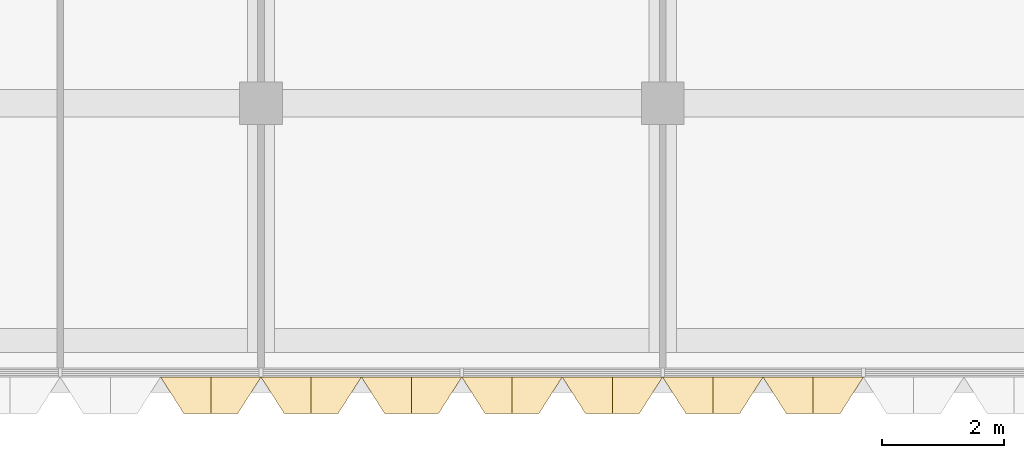
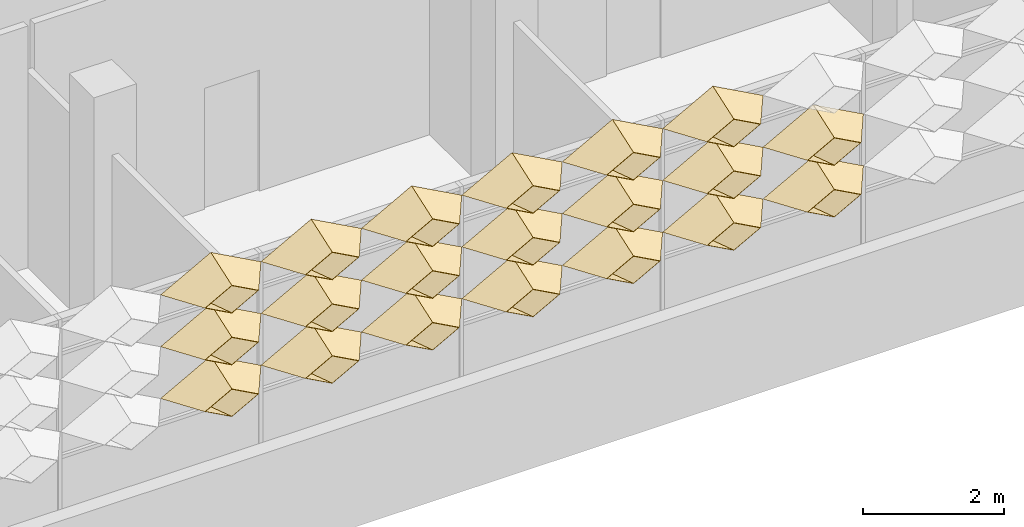
# One storey, part 44 of 85: 20 coverings.
"""IFC4 building model written with IfcOpenShell, lengths in metres."""

from ifc_helpers import new_model, entity, si_unit, direction, frame, origin, place, context, subcontext, project, spatial, material, layer, layer_set, type_object, element, save


model = new_model("IFC4")

# Units and contexts
model_context = context("Model", 3, precision=1e-05, world=origin(), true_north=direction((0.0, 1.0)))
body_context = subcontext(model_context, "Body", "Model", "MODEL_VIEW")
ifc_project = project(units=[si_unit("LENGTHUNIT", "METRE"), si_unit("AREAUNIT", "SQUARE_METRE"), si_unit("VOLUMEUNIT", "CUBIC_METRE"), si_unit("PLANEANGLEUNIT", "RADIAN"), si_unit("MASSUNIT", "GRAM", prefix="KILO")], contexts=[model_context])

# Site, building, storey
site_placement = place(None, origin())
site = spatial("IfcSite", under=ifc_project, at=site_placement, CompositionType="ELEMENT")
building_placement = place(site_placement, origin())
building = spatial("IfcBuilding", under=site, at=building_placement, Name="Lantern Court Research Institute", CompositionType="ELEMENT")
storey_placement = place(building_placement, frame((0.0, 0.0, 18.89990234375)))
storey = spatial("IfcBuildingStorey", under=building, at=storey_placement, Name="L04", CompositionType="ELEMENT", Elevation=18.89990234375)

# Coverings
ifc_material = material(Name="Anodised aluminium", Category="aluminium")
ifc_layer = layer(ifc_material, 0.01611328125)
ifc_layer_set = layer_set([ifc_layer], Name="Anodised aluminium")
covering_type = type_object("IfcCoveringType", Name="Fin cassette 1650 x 900 x 600 aluminium", PredefinedType="CLADDING", material=ifc_layer_set)
covering_1_placement = place(storey_placement, frame((32.175048828125, -8.39990234375, 2.25), z_axis=(0.0, -1.0, 0.0), x_axis=(1.0, 0.0, 0.0)))
cartesian_point_1 = entity("IfcCartesianPoint", [0.824951171875, 0.0])
cartesian_point_2 = entity("IfcCartesianPoint", [0.79150390625, 0.0])
cartesian_point_3 = entity("IfcCartesianPoint", [0.44189453125, 0.0])
cartesian_point_4 = entity("IfcCartesianPoint", [0.43359375, 0.0])
element("IfcCovering", 1, at=covering_1_placement, inside=storey, type_object=covering_type, Name="Fin cassette V4S-L04 3.20", PredefinedType="CLADDING", context=body_context, shape_type="SweptSolid", body=[
    entity("IfcExtrudedAreaSolidTapered", entity("IfcArbitraryProfileDefWithVoids", "AREA", None, entity("IfcPolyline", [cartesian_point_1, entity("IfcCartesianPoint", [0.0, 0.449951171875]), entity("IfcCartesianPoint", [-0.824951171875, 0.0]), entity("IfcCartesianPoint", [0.0, -0.449951171875]), cartesian_point_1]), [entity("IfcPolyline", [cartesian_point_2, entity("IfcCartesianPoint", [0.0, 0.431884765625]), entity("IfcCartesianPoint", [-0.79150390625, 0.0]), entity("IfcCartesianPoint", [0.0, -0.431884765625]), cartesian_point_2])]), entity("IfcAxis2Placement3D", entity("IfcCartesianPoint", [0.0, 0.0, 0.0])), entity("IfcDirection", [0.0, 0.0, 1.0]), 0.60009765625, entity("IfcArbitraryProfileDefWithVoids", "AREA", None, entity("IfcPolyline", [cartesian_point_3, entity("IfcCartesianPoint", [0.0, 0.240966796875]), entity("IfcCartesianPoint", [-0.44189453125, 0.0]), entity("IfcCartesianPoint", [0.0, -0.240966796875]), cartesian_point_3]), [entity("IfcPolyline", [cartesian_point_4, entity("IfcCartesianPoint", [0.0, 0.236572265625]), entity("IfcCartesianPoint", [-0.43359375, 0.0]), entity("IfcCartesianPoint", [0.0, -0.236572265625]), cartesian_point_4])])),
])
covering_2_placement = place(storey_placement, frame((33.824951171875, -8.39990234375, 2.25), z_axis=(0.0, -1.0, 0.0), x_axis=(1.0, 0.0, 0.0)))
cartesian_point_5 = entity("IfcCartesianPoint", [0.824951171875, 0.0])
cartesian_point_6 = entity("IfcCartesianPoint", [0.79150390625, 0.0])
cartesian_point_7 = entity("IfcCartesianPoint", [0.44189453125, 0.0])
cartesian_point_8 = entity("IfcCartesianPoint", [0.43359375, 0.0])
element("IfcCovering", 2, at=covering_2_placement, inside=storey, type_object=covering_type, Name="Fin cassette V4S-L04 3.21", PredefinedType="CLADDING", context=body_context, shape_type="SweptSolid", body=[
    entity("IfcExtrudedAreaSolidTapered", entity("IfcArbitraryProfileDefWithVoids", "AREA", None, entity("IfcPolyline", [cartesian_point_5, entity("IfcCartesianPoint", [0.0, 0.449951171875]), entity("IfcCartesianPoint", [-0.824951171875, 0.0]), entity("IfcCartesianPoint", [0.0, -0.449951171875]), cartesian_point_5]), [entity("IfcPolyline", [cartesian_point_6, entity("IfcCartesianPoint", [0.0, 0.431884765625]), entity("IfcCartesianPoint", [-0.79150390625, 0.0]), entity("IfcCartesianPoint", [0.0, -0.431884765625]), cartesian_point_6])]), entity("IfcAxis2Placement3D", entity("IfcCartesianPoint", [0.0, 0.0, 0.0])), entity("IfcDirection", [0.0, 0.0, 1.0]), 0.60009765625, entity("IfcArbitraryProfileDefWithVoids", "AREA", None, entity("IfcPolyline", [cartesian_point_7, entity("IfcCartesianPoint", [0.0, 0.240966796875]), entity("IfcCartesianPoint", [-0.44189453125, 0.0]), entity("IfcCartesianPoint", [0.0, -0.240966796875]), cartesian_point_7]), [entity("IfcPolyline", [cartesian_point_8, entity("IfcCartesianPoint", [0.0, 0.236572265625]), entity("IfcCartesianPoint", [-0.43359375, 0.0]), entity("IfcCartesianPoint", [0.0, -0.236572265625]), cartesian_point_8])])),
])
covering_3_placement = place(storey_placement, frame((35.47509765625, -8.39990234375, 2.25), z_axis=(0.0, -1.0, 0.0), x_axis=(1.0, 0.0, 0.0)))
cartesian_point_9 = entity("IfcCartesianPoint", [0.824951171875, 0.0])
cartesian_point_10 = entity("IfcCartesianPoint", [0.79150390625, 0.0])
cartesian_point_11 = entity("IfcCartesianPoint", [0.44189453125, 0.0])
cartesian_point_12 = entity("IfcCartesianPoint", [0.43359375, 0.0])
element("IfcCovering", 3, at=covering_3_placement, inside=storey, type_object=covering_type, Name="Fin cassette V4S-L04 3.22", PredefinedType="CLADDING", context=body_context, shape_type="SweptSolid", body=[
    entity("IfcExtrudedAreaSolidTapered", entity("IfcArbitraryProfileDefWithVoids", "AREA", None, entity("IfcPolyline", [cartesian_point_9, entity("IfcCartesianPoint", [0.0, 0.449951171875]), entity("IfcCartesianPoint", [-0.824951171875, 0.0]), entity("IfcCartesianPoint", [0.0, -0.449951171875]), cartesian_point_9]), [entity("IfcPolyline", [cartesian_point_10, entity("IfcCartesianPoint", [0.0, 0.431884765625]), entity("IfcCartesianPoint", [-0.79150390625, 0.0]), entity("IfcCartesianPoint", [0.0, -0.431884765625]), cartesian_point_10])]), entity("IfcAxis2Placement3D", entity("IfcCartesianPoint", [0.0, 0.0, 0.0])), entity("IfcDirection", [0.0, 0.0, 1.0]), 0.60009765625, entity("IfcArbitraryProfileDefWithVoids", "AREA", None, entity("IfcPolyline", [cartesian_point_11, entity("IfcCartesianPoint", [0.0, 0.240966796875]), entity("IfcCartesianPoint", [-0.44189453125, 0.0]), entity("IfcCartesianPoint", [0.0, -0.240966796875]), cartesian_point_11]), [entity("IfcPolyline", [cartesian_point_12, entity("IfcCartesianPoint", [0.0, 0.236572265625]), entity("IfcCartesianPoint", [-0.43359375, 0.0]), entity("IfcCartesianPoint", [0.0, -0.236572265625]), cartesian_point_12])])),
])
covering_4_placement = place(storey_placement, frame((37.125, -8.39990234375, 2.25), z_axis=(0.0, -1.0, 0.0), x_axis=(1.0, 0.0, 0.0)))
cartesian_point_13 = entity("IfcCartesianPoint", [0.824951171875, 0.0])
cartesian_point_14 = entity("IfcCartesianPoint", [0.79150390625, 0.0])
cartesian_point_15 = entity("IfcCartesianPoint", [0.44189453125, 0.0])
cartesian_point_16 = entity("IfcCartesianPoint", [0.43359375, 0.0])
element("IfcCovering", 4, at=covering_4_placement, inside=storey, type_object=covering_type, Name="Fin cassette V4S-L04 3.23", PredefinedType="CLADDING", context=body_context, shape_type="SweptSolid", body=[
    entity("IfcExtrudedAreaSolidTapered", entity("IfcArbitraryProfileDefWithVoids", "AREA", None, entity("IfcPolyline", [cartesian_point_13, entity("IfcCartesianPoint", [0.0, 0.449951171875]), entity("IfcCartesianPoint", [-0.824951171875, 0.0]), entity("IfcCartesianPoint", [0.0, -0.449951171875]), cartesian_point_13]), [entity("IfcPolyline", [cartesian_point_14, entity("IfcCartesianPoint", [0.0, 0.431884765625]), entity("IfcCartesianPoint", [-0.79150390625, 0.0]), entity("IfcCartesianPoint", [0.0, -0.431884765625]), cartesian_point_14])]), entity("IfcAxis2Placement3D", entity("IfcCartesianPoint", [0.0, 0.0, 0.0])), entity("IfcDirection", [0.0, 0.0, 1.0]), 0.60009765625, entity("IfcArbitraryProfileDefWithVoids", "AREA", None, entity("IfcPolyline", [cartesian_point_15, entity("IfcCartesianPoint", [0.0, 0.240966796875]), entity("IfcCartesianPoint", [-0.44189453125, 0.0]), entity("IfcCartesianPoint", [0.0, -0.240966796875]), cartesian_point_15]), [entity("IfcPolyline", [cartesian_point_16, entity("IfcCartesianPoint", [0.0, 0.236572265625]), entity("IfcCartesianPoint", [-0.43359375, 0.0]), entity("IfcCartesianPoint", [0.0, -0.236572265625]), cartesian_point_16])])),
])
covering_5_placement = place(storey_placement, frame((38.77490234375, -8.39990234375, 2.25), z_axis=(0.0, -1.0, 0.0), x_axis=(1.0, 0.0, 0.0)))
cartesian_point_17 = entity("IfcCartesianPoint", [0.824951171875, 0.0])
cartesian_point_18 = entity("IfcCartesianPoint", [0.79150390625, 0.0])
cartesian_point_19 = entity("IfcCartesianPoint", [0.44189453125, 0.0])
cartesian_point_20 = entity("IfcCartesianPoint", [0.43359375, 0.0])
element("IfcCovering", 5, at=covering_5_placement, inside=storey, type_object=covering_type, Name="Fin cassette V4S-L04 3.24", PredefinedType="CLADDING", context=body_context, shape_type="SweptSolid", body=[
    entity("IfcExtrudedAreaSolidTapered", entity("IfcArbitraryProfileDefWithVoids", "AREA", None, entity("IfcPolyline", [cartesian_point_17, entity("IfcCartesianPoint", [0.0, 0.449951171875]), entity("IfcCartesianPoint", [-0.824951171875, 0.0]), entity("IfcCartesianPoint", [0.0, -0.449951171875]), cartesian_point_17]), [entity("IfcPolyline", [cartesian_point_18, entity("IfcCartesianPoint", [0.0, 0.431884765625]), entity("IfcCartesianPoint", [-0.79150390625, 0.0]), entity("IfcCartesianPoint", [0.0, -0.431884765625]), cartesian_point_18])]), entity("IfcAxis2Placement3D", entity("IfcCartesianPoint", [0.0, 0.0, 0.0])), entity("IfcDirection", [0.0, 0.0, 1.0]), 0.60009765625, entity("IfcArbitraryProfileDefWithVoids", "AREA", None, entity("IfcPolyline", [cartesian_point_19, entity("IfcCartesianPoint", [0.0, 0.240966796875]), entity("IfcCartesianPoint", [-0.44189453125, 0.0]), entity("IfcCartesianPoint", [0.0, -0.240966796875]), cartesian_point_19]), [entity("IfcPolyline", [cartesian_point_20, entity("IfcCartesianPoint", [0.0, 0.236572265625]), entity("IfcCartesianPoint", [-0.43359375, 0.0]), entity("IfcCartesianPoint", [0.0, -0.236572265625]), cartesian_point_20])])),
])
covering_6_placement = place(storey_placement, frame((40.425048828125, -8.39990234375, 2.25), z_axis=(0.0, -1.0, 0.0), x_axis=(1.0, 0.0, 0.0)))
cartesian_point_21 = entity("IfcCartesianPoint", [0.824951171875, 0.0])
cartesian_point_22 = entity("IfcCartesianPoint", [0.79150390625, 0.0])
cartesian_point_23 = entity("IfcCartesianPoint", [0.44189453125, 0.0])
cartesian_point_24 = entity("IfcCartesianPoint", [0.43359375, 0.0])
element("IfcCovering", 6, at=covering_6_placement, inside=storey, type_object=covering_type, Name="Fin cassette V4S-L04 3.25", PredefinedType="CLADDING", context=body_context, shape_type="SweptSolid", body=[
    entity("IfcExtrudedAreaSolidTapered", entity("IfcArbitraryProfileDefWithVoids", "AREA", None, entity("IfcPolyline", [cartesian_point_21, entity("IfcCartesianPoint", [0.0, 0.449951171875]), entity("IfcCartesianPoint", [-0.824951171875, 0.0]), entity("IfcCartesianPoint", [0.0, -0.449951171875]), cartesian_point_21]), [entity("IfcPolyline", [cartesian_point_22, entity("IfcCartesianPoint", [0.0, 0.431884765625]), entity("IfcCartesianPoint", [-0.79150390625, 0.0]), entity("IfcCartesianPoint", [0.0, -0.431884765625]), cartesian_point_22])]), entity("IfcAxis2Placement3D", entity("IfcCartesianPoint", [0.0, 0.0, 0.0])), entity("IfcDirection", [0.0, 0.0, 1.0]), 0.60009765625, entity("IfcArbitraryProfileDefWithVoids", "AREA", None, entity("IfcPolyline", [cartesian_point_23, entity("IfcCartesianPoint", [0.0, 0.240966796875]), entity("IfcCartesianPoint", [-0.44189453125, 0.0]), entity("IfcCartesianPoint", [0.0, -0.240966796875]), cartesian_point_23]), [entity("IfcPolyline", [cartesian_point_24, entity("IfcCartesianPoint", [0.0, 0.236572265625]), entity("IfcCartesianPoint", [-0.43359375, 0.0]), entity("IfcCartesianPoint", [0.0, -0.236572265625]), cartesian_point_24])])),
])
covering_7_placement = place(storey_placement, frame((42.074951171875, -8.39990234375, 2.25), z_axis=(0.0, -1.0, 0.0), x_axis=(1.0, 0.0, 0.0)))
cartesian_point_25 = entity("IfcCartesianPoint", [0.824951171875, 0.0])
cartesian_point_26 = entity("IfcCartesianPoint", [0.79150390625, 0.0])
cartesian_point_27 = entity("IfcCartesianPoint", [0.44189453125, 0.0])
cartesian_point_28 = entity("IfcCartesianPoint", [0.43359375, 0.0])
element("IfcCovering", 7, at=covering_7_placement, inside=storey, type_object=covering_type, Name="Fin cassette V4S-L04 3.26", PredefinedType="CLADDING", context=body_context, shape_type="SweptSolid", body=[
    entity("IfcExtrudedAreaSolidTapered", entity("IfcArbitraryProfileDefWithVoids", "AREA", None, entity("IfcPolyline", [cartesian_point_25, entity("IfcCartesianPoint", [0.0, 0.449951171875]), entity("IfcCartesianPoint", [-0.824951171875, 0.0]), entity("IfcCartesianPoint", [0.0, -0.449951171875]), cartesian_point_25]), [entity("IfcPolyline", [cartesian_point_26, entity("IfcCartesianPoint", [0.0, 0.431884765625]), entity("IfcCartesianPoint", [-0.79150390625, 0.0]), entity("IfcCartesianPoint", [0.0, -0.431884765625]), cartesian_point_26])]), entity("IfcAxis2Placement3D", entity("IfcCartesianPoint", [0.0, 0.0, 0.0])), entity("IfcDirection", [0.0, 0.0, 1.0]), 0.60009765625, entity("IfcArbitraryProfileDefWithVoids", "AREA", None, entity("IfcPolyline", [cartesian_point_27, entity("IfcCartesianPoint", [0.0, 0.240966796875]), entity("IfcCartesianPoint", [-0.44189453125, 0.0]), entity("IfcCartesianPoint", [0.0, -0.240966796875]), cartesian_point_27]), [entity("IfcPolyline", [cartesian_point_28, entity("IfcCartesianPoint", [0.0, 0.236572265625]), entity("IfcCartesianPoint", [-0.43359375, 0.0]), entity("IfcCartesianPoint", [0.0, -0.236572265625]), cartesian_point_28])])),
])
covering_8_placement = place(storey_placement, frame((32.175048828125, -8.39990234375, 3.150146484375), z_axis=(0.0, -1.0, 0.0), x_axis=(1.0, 0.0, 0.0)))
cartesian_point_29 = entity("IfcCartesianPoint", [0.824951171875, 0.0])
cartesian_point_30 = entity("IfcCartesianPoint", [0.79150390625, 0.0])
cartesian_point_31 = entity("IfcCartesianPoint", [0.44189453125, 0.0])
cartesian_point_32 = entity("IfcCartesianPoint", [0.43359375, 0.0])
element("IfcCovering", 8, at=covering_8_placement, inside=storey, type_object=covering_type, Name="Fin cassette V4S-L04 4.20", PredefinedType="CLADDING", context=body_context, shape_type="SweptSolid", body=[
    entity("IfcExtrudedAreaSolidTapered", entity("IfcArbitraryProfileDefWithVoids", "AREA", None, entity("IfcPolyline", [cartesian_point_29, entity("IfcCartesianPoint", [0.0, 0.449951171875]), entity("IfcCartesianPoint", [-0.824951171875, 0.0]), entity("IfcCartesianPoint", [0.0, -0.449951171875]), cartesian_point_29]), [entity("IfcPolyline", [cartesian_point_30, entity("IfcCartesianPoint", [0.0, 0.431884765625]), entity("IfcCartesianPoint", [-0.79150390625, 0.0]), entity("IfcCartesianPoint", [0.0, -0.431884765625]), cartesian_point_30])]), entity("IfcAxis2Placement3D", entity("IfcCartesianPoint", [0.0, 0.0, 0.0])), entity("IfcDirection", [0.0, 0.0, 1.0]), 0.60009765625, entity("IfcArbitraryProfileDefWithVoids", "AREA", None, entity("IfcPolyline", [cartesian_point_31, entity("IfcCartesianPoint", [0.0, 0.240966796875]), entity("IfcCartesianPoint", [-0.44189453125, 0.0]), entity("IfcCartesianPoint", [0.0, -0.240966796875]), cartesian_point_31]), [entity("IfcPolyline", [cartesian_point_32, entity("IfcCartesianPoint", [0.0, 0.236572265625]), entity("IfcCartesianPoint", [-0.43359375, 0.0]), entity("IfcCartesianPoint", [0.0, -0.236572265625]), cartesian_point_32])])),
])
covering_9_placement = place(storey_placement, frame((33.824951171875, -8.39990234375, 3.150146484375), z_axis=(0.0, -1.0, 0.0), x_axis=(1.0, 0.0, 0.0)))
cartesian_point_33 = entity("IfcCartesianPoint", [0.824951171875, 0.0])
cartesian_point_34 = entity("IfcCartesianPoint", [0.79150390625, 0.0])
cartesian_point_35 = entity("IfcCartesianPoint", [0.44189453125, 0.0])
cartesian_point_36 = entity("IfcCartesianPoint", [0.43359375, 0.0])
element("IfcCovering", 9, at=covering_9_placement, inside=storey, type_object=covering_type, Name="Fin cassette V4S-L04 4.21", PredefinedType="CLADDING", context=body_context, shape_type="SweptSolid", body=[
    entity("IfcExtrudedAreaSolidTapered", entity("IfcArbitraryProfileDefWithVoids", "AREA", None, entity("IfcPolyline", [cartesian_point_33, entity("IfcCartesianPoint", [0.0, 0.449951171875]), entity("IfcCartesianPoint", [-0.824951171875, 0.0]), entity("IfcCartesianPoint", [0.0, -0.449951171875]), cartesian_point_33]), [entity("IfcPolyline", [cartesian_point_34, entity("IfcCartesianPoint", [0.0, 0.431884765625]), entity("IfcCartesianPoint", [-0.79150390625, 0.0]), entity("IfcCartesianPoint", [0.0, -0.431884765625]), cartesian_point_34])]), entity("IfcAxis2Placement3D", entity("IfcCartesianPoint", [0.0, 0.0, 0.0])), entity("IfcDirection", [0.0, 0.0, 1.0]), 0.60009765625, entity("IfcArbitraryProfileDefWithVoids", "AREA", None, entity("IfcPolyline", [cartesian_point_35, entity("IfcCartesianPoint", [0.0, 0.240966796875]), entity("IfcCartesianPoint", [-0.44189453125, 0.0]), entity("IfcCartesianPoint", [0.0, -0.240966796875]), cartesian_point_35]), [entity("IfcPolyline", [cartesian_point_36, entity("IfcCartesianPoint", [0.0, 0.236572265625]), entity("IfcCartesianPoint", [-0.43359375, 0.0]), entity("IfcCartesianPoint", [0.0, -0.236572265625]), cartesian_point_36])])),
])
covering_10_placement = place(storey_placement, frame((35.47509765625, -8.39990234375, 3.150146484375), z_axis=(0.0, -1.0, 0.0), x_axis=(1.0, 0.0, 0.0)))
cartesian_point_37 = entity("IfcCartesianPoint", [0.824951171875, 0.0])
cartesian_point_38 = entity("IfcCartesianPoint", [0.79150390625, 0.0])
cartesian_point_39 = entity("IfcCartesianPoint", [0.44189453125, 0.0])
cartesian_point_40 = entity("IfcCartesianPoint", [0.43359375, 0.0])
element("IfcCovering", 10, at=covering_10_placement, inside=storey, type_object=covering_type, Name="Fin cassette V4S-L04 4.22", PredefinedType="CLADDING", context=body_context, shape_type="SweptSolid", body=[
    entity("IfcExtrudedAreaSolidTapered", entity("IfcArbitraryProfileDefWithVoids", "AREA", None, entity("IfcPolyline", [cartesian_point_37, entity("IfcCartesianPoint", [0.0, 0.449951171875]), entity("IfcCartesianPoint", [-0.824951171875, 0.0]), entity("IfcCartesianPoint", [0.0, -0.449951171875]), cartesian_point_37]), [entity("IfcPolyline", [cartesian_point_38, entity("IfcCartesianPoint", [0.0, 0.431884765625]), entity("IfcCartesianPoint", [-0.79150390625, 0.0]), entity("IfcCartesianPoint", [0.0, -0.431884765625]), cartesian_point_38])]), entity("IfcAxis2Placement3D", entity("IfcCartesianPoint", [0.0, 0.0, 0.0])), entity("IfcDirection", [0.0, 0.0, 1.0]), 0.60009765625, entity("IfcArbitraryProfileDefWithVoids", "AREA", None, entity("IfcPolyline", [cartesian_point_39, entity("IfcCartesianPoint", [0.0, 0.240966796875]), entity("IfcCartesianPoint", [-0.44189453125, 0.0]), entity("IfcCartesianPoint", [0.0, -0.240966796875]), cartesian_point_39]), [entity("IfcPolyline", [cartesian_point_40, entity("IfcCartesianPoint", [0.0, 0.236572265625]), entity("IfcCartesianPoint", [-0.43359375, 0.0]), entity("IfcCartesianPoint", [0.0, -0.236572265625]), cartesian_point_40])])),
])
covering_11_placement = place(storey_placement, frame((37.125, -8.39990234375, 3.150146484375), z_axis=(0.0, -1.0, 0.0), x_axis=(1.0, 0.0, 0.0)))
cartesian_point_41 = entity("IfcCartesianPoint", [0.824951171875, 0.0])
cartesian_point_42 = entity("IfcCartesianPoint", [0.79150390625, 0.0])
cartesian_point_43 = entity("IfcCartesianPoint", [0.44189453125, 0.0])
cartesian_point_44 = entity("IfcCartesianPoint", [0.43359375, 0.0])
element("IfcCovering", 11, at=covering_11_placement, inside=storey, type_object=covering_type, Name="Fin cassette V4S-L04 4.23", PredefinedType="CLADDING", context=body_context, shape_type="SweptSolid", body=[
    entity("IfcExtrudedAreaSolidTapered", entity("IfcArbitraryProfileDefWithVoids", "AREA", None, entity("IfcPolyline", [cartesian_point_41, entity("IfcCartesianPoint", [0.0, 0.449951171875]), entity("IfcCartesianPoint", [-0.824951171875, 0.0]), entity("IfcCartesianPoint", [0.0, -0.449951171875]), cartesian_point_41]), [entity("IfcPolyline", [cartesian_point_42, entity("IfcCartesianPoint", [0.0, 0.431884765625]), entity("IfcCartesianPoint", [-0.79150390625, 0.0]), entity("IfcCartesianPoint", [0.0, -0.431884765625]), cartesian_point_42])]), entity("IfcAxis2Placement3D", entity("IfcCartesianPoint", [0.0, 0.0, 0.0])), entity("IfcDirection", [0.0, 0.0, 1.0]), 0.60009765625, entity("IfcArbitraryProfileDefWithVoids", "AREA", None, entity("IfcPolyline", [cartesian_point_43, entity("IfcCartesianPoint", [0.0, 0.240966796875]), entity("IfcCartesianPoint", [-0.44189453125, 0.0]), entity("IfcCartesianPoint", [0.0, -0.240966796875]), cartesian_point_43]), [entity("IfcPolyline", [cartesian_point_44, entity("IfcCartesianPoint", [0.0, 0.236572265625]), entity("IfcCartesianPoint", [-0.43359375, 0.0]), entity("IfcCartesianPoint", [0.0, -0.236572265625]), cartesian_point_44])])),
])
covering_12_placement = place(storey_placement, frame((38.77490234375, -8.39990234375, 3.150146484375), z_axis=(0.0, -1.0, 0.0), x_axis=(1.0, 0.0, 0.0)))
cartesian_point_45 = entity("IfcCartesianPoint", [0.824951171875, 0.0])
cartesian_point_46 = entity("IfcCartesianPoint", [0.79150390625, 0.0])
cartesian_point_47 = entity("IfcCartesianPoint", [0.44189453125, 0.0])
cartesian_point_48 = entity("IfcCartesianPoint", [0.43359375, 0.0])
element("IfcCovering", 12, at=covering_12_placement, inside=storey, type_object=covering_type, Name="Fin cassette V4S-L04 4.24", PredefinedType="CLADDING", context=body_context, shape_type="SweptSolid", body=[
    entity("IfcExtrudedAreaSolidTapered", entity("IfcArbitraryProfileDefWithVoids", "AREA", None, entity("IfcPolyline", [cartesian_point_45, entity("IfcCartesianPoint", [0.0, 0.449951171875]), entity("IfcCartesianPoint", [-0.824951171875, 0.0]), entity("IfcCartesianPoint", [0.0, -0.449951171875]), cartesian_point_45]), [entity("IfcPolyline", [cartesian_point_46, entity("IfcCartesianPoint", [0.0, 0.431884765625]), entity("IfcCartesianPoint", [-0.79150390625, 0.0]), entity("IfcCartesianPoint", [0.0, -0.431884765625]), cartesian_point_46])]), entity("IfcAxis2Placement3D", entity("IfcCartesianPoint", [0.0, 0.0, 0.0])), entity("IfcDirection", [0.0, 0.0, 1.0]), 0.60009765625, entity("IfcArbitraryProfileDefWithVoids", "AREA", None, entity("IfcPolyline", [cartesian_point_47, entity("IfcCartesianPoint", [0.0, 0.240966796875]), entity("IfcCartesianPoint", [-0.44189453125, 0.0]), entity("IfcCartesianPoint", [0.0, -0.240966796875]), cartesian_point_47]), [entity("IfcPolyline", [cartesian_point_48, entity("IfcCartesianPoint", [0.0, 0.236572265625]), entity("IfcCartesianPoint", [-0.43359375, 0.0]), entity("IfcCartesianPoint", [0.0, -0.236572265625]), cartesian_point_48])])),
])
covering_13_placement = place(storey_placement, frame((40.425048828125, -8.39990234375, 3.150146484375), z_axis=(0.0, -1.0, 0.0), x_axis=(1.0, 0.0, 0.0)))
cartesian_point_49 = entity("IfcCartesianPoint", [0.824951171875, 0.0])
cartesian_point_50 = entity("IfcCartesianPoint", [0.79150390625, 0.0])
cartesian_point_51 = entity("IfcCartesianPoint", [0.44189453125, 0.0])
cartesian_point_52 = entity("IfcCartesianPoint", [0.43359375, 0.0])
element("IfcCovering", 13, at=covering_13_placement, inside=storey, type_object=covering_type, Name="Fin cassette V4S-L04 4.25", PredefinedType="CLADDING", context=body_context, shape_type="SweptSolid", body=[
    entity("IfcExtrudedAreaSolidTapered", entity("IfcArbitraryProfileDefWithVoids", "AREA", None, entity("IfcPolyline", [cartesian_point_49, entity("IfcCartesianPoint", [0.0, 0.449951171875]), entity("IfcCartesianPoint", [-0.824951171875, 0.0]), entity("IfcCartesianPoint", [0.0, -0.449951171875]), cartesian_point_49]), [entity("IfcPolyline", [cartesian_point_50, entity("IfcCartesianPoint", [0.0, 0.431884765625]), entity("IfcCartesianPoint", [-0.79150390625, 0.0]), entity("IfcCartesianPoint", [0.0, -0.431884765625]), cartesian_point_50])]), entity("IfcAxis2Placement3D", entity("IfcCartesianPoint", [0.0, 0.0, 0.0])), entity("IfcDirection", [0.0, 0.0, 1.0]), 0.60009765625, entity("IfcArbitraryProfileDefWithVoids", "AREA", None, entity("IfcPolyline", [cartesian_point_51, entity("IfcCartesianPoint", [0.0, 0.240966796875]), entity("IfcCartesianPoint", [-0.44189453125, 0.0]), entity("IfcCartesianPoint", [0.0, -0.240966796875]), cartesian_point_51]), [entity("IfcPolyline", [cartesian_point_52, entity("IfcCartesianPoint", [0.0, 0.236572265625]), entity("IfcCartesianPoint", [-0.43359375, 0.0]), entity("IfcCartesianPoint", [0.0, -0.236572265625]), cartesian_point_52])])),
])
covering_14_placement = place(storey_placement, frame((42.074951171875, -8.39990234375, 3.150146484375), z_axis=(0.0, -1.0, 0.0), x_axis=(1.0, 0.0, 0.0)))
cartesian_point_53 = entity("IfcCartesianPoint", [0.824951171875, 0.0])
cartesian_point_54 = entity("IfcCartesianPoint", [0.79150390625, 0.0])
cartesian_point_55 = entity("IfcCartesianPoint", [0.44189453125, 0.0])
cartesian_point_56 = entity("IfcCartesianPoint", [0.43359375, 0.0])
element("IfcCovering", 14, at=covering_14_placement, inside=storey, type_object=covering_type, Name="Fin cassette V4S-L04 4.26", PredefinedType="CLADDING", context=body_context, shape_type="SweptSolid", body=[
    entity("IfcExtrudedAreaSolidTapered", entity("IfcArbitraryProfileDefWithVoids", "AREA", None, entity("IfcPolyline", [cartesian_point_53, entity("IfcCartesianPoint", [0.0, 0.449951171875]), entity("IfcCartesianPoint", [-0.824951171875, 0.0]), entity("IfcCartesianPoint", [0.0, -0.449951171875]), cartesian_point_53]), [entity("IfcPolyline", [cartesian_point_54, entity("IfcCartesianPoint", [0.0, 0.431884765625]), entity("IfcCartesianPoint", [-0.79150390625, 0.0]), entity("IfcCartesianPoint", [0.0, -0.431884765625]), cartesian_point_54])]), entity("IfcAxis2Placement3D", entity("IfcCartesianPoint", [0.0, 0.0, 0.0])), entity("IfcDirection", [0.0, 0.0, 1.0]), 0.60009765625, entity("IfcArbitraryProfileDefWithVoids", "AREA", None, entity("IfcPolyline", [cartesian_point_55, entity("IfcCartesianPoint", [0.0, 0.240966796875]), entity("IfcCartesianPoint", [-0.44189453125, 0.0]), entity("IfcCartesianPoint", [0.0, -0.240966796875]), cartesian_point_55]), [entity("IfcPolyline", [cartesian_point_56, entity("IfcCartesianPoint", [0.0, 0.236572265625]), entity("IfcCartesianPoint", [-0.43359375, 0.0]), entity("IfcCartesianPoint", [0.0, -0.236572265625]), cartesian_point_56])])),
])
covering_15_placement = place(storey_placement, frame((32.175048828125, -8.39990234375, 4.050048828125), z_axis=(0.0, -1.0, 0.0), x_axis=(1.0, 0.0, 0.0)))
cartesian_point_57 = entity("IfcCartesianPoint", [0.824951171875, 0.0])
cartesian_point_58 = entity("IfcCartesianPoint", [0.79150390625, 0.0])
cartesian_point_59 = entity("IfcCartesianPoint", [0.44189453125, 0.0])
cartesian_point_60 = entity("IfcCartesianPoint", [0.43359375, 0.0])
element("IfcCovering", 15, at=covering_15_placement, inside=storey, type_object=covering_type, Name="Fin cassette V4S-L04 5.20", PredefinedType="CLADDING", context=body_context, shape_type="SweptSolid", body=[
    entity("IfcExtrudedAreaSolidTapered", entity("IfcArbitraryProfileDefWithVoids", "AREA", None, entity("IfcPolyline", [cartesian_point_57, entity("IfcCartesianPoint", [0.0, 0.449951171875]), entity("IfcCartesianPoint", [-0.824951171875, 0.0]), entity("IfcCartesianPoint", [0.0, -0.449951171875]), cartesian_point_57]), [entity("IfcPolyline", [cartesian_point_58, entity("IfcCartesianPoint", [0.0, 0.431884765625]), entity("IfcCartesianPoint", [-0.79150390625, 0.0]), entity("IfcCartesianPoint", [0.0, -0.431884765625]), cartesian_point_58])]), entity("IfcAxis2Placement3D", entity("IfcCartesianPoint", [0.0, 0.0, 0.0])), entity("IfcDirection", [0.0, 0.0, 1.0]), 0.60009765625, entity("IfcArbitraryProfileDefWithVoids", "AREA", None, entity("IfcPolyline", [cartesian_point_59, entity("IfcCartesianPoint", [0.0, 0.240966796875]), entity("IfcCartesianPoint", [-0.44189453125, 0.0]), entity("IfcCartesianPoint", [0.0, -0.240966796875]), cartesian_point_59]), [entity("IfcPolyline", [cartesian_point_60, entity("IfcCartesianPoint", [0.0, 0.236572265625]), entity("IfcCartesianPoint", [-0.43359375, 0.0]), entity("IfcCartesianPoint", [0.0, -0.236572265625]), cartesian_point_60])])),
])
covering_16_placement = place(storey_placement, frame((33.824951171875, -8.39990234375, 4.050048828125), z_axis=(0.0, -1.0, 0.0), x_axis=(1.0, 0.0, 0.0)))
cartesian_point_61 = entity("IfcCartesianPoint", [0.824951171875, 0.0])
cartesian_point_62 = entity("IfcCartesianPoint", [0.79150390625, 0.0])
cartesian_point_63 = entity("IfcCartesianPoint", [0.44189453125, 0.0])
cartesian_point_64 = entity("IfcCartesianPoint", [0.43359375, 0.0])
element("IfcCovering", 16, at=covering_16_placement, inside=storey, type_object=covering_type, Name="Fin cassette V4S-L04 5.21", PredefinedType="CLADDING", context=body_context, shape_type="SweptSolid", body=[
    entity("IfcExtrudedAreaSolidTapered", entity("IfcArbitraryProfileDefWithVoids", "AREA", None, entity("IfcPolyline", [cartesian_point_61, entity("IfcCartesianPoint", [0.0, 0.449951171875]), entity("IfcCartesianPoint", [-0.824951171875, 0.0]), entity("IfcCartesianPoint", [0.0, -0.449951171875]), cartesian_point_61]), [entity("IfcPolyline", [cartesian_point_62, entity("IfcCartesianPoint", [0.0, 0.431884765625]), entity("IfcCartesianPoint", [-0.79150390625, 0.0]), entity("IfcCartesianPoint", [0.0, -0.431884765625]), cartesian_point_62])]), entity("IfcAxis2Placement3D", entity("IfcCartesianPoint", [0.0, 0.0, 0.0])), entity("IfcDirection", [0.0, 0.0, 1.0]), 0.60009765625, entity("IfcArbitraryProfileDefWithVoids", "AREA", None, entity("IfcPolyline", [cartesian_point_63, entity("IfcCartesianPoint", [0.0, 0.240966796875]), entity("IfcCartesianPoint", [-0.44189453125, 0.0]), entity("IfcCartesianPoint", [0.0, -0.240966796875]), cartesian_point_63]), [entity("IfcPolyline", [cartesian_point_64, entity("IfcCartesianPoint", [0.0, 0.236572265625]), entity("IfcCartesianPoint", [-0.43359375, 0.0]), entity("IfcCartesianPoint", [0.0, -0.236572265625]), cartesian_point_64])])),
])
covering_17_placement = place(storey_placement, frame((35.47509765625, -8.39990234375, 4.050048828125), z_axis=(0.0, -1.0, 0.0), x_axis=(1.0, 0.0, 0.0)))
cartesian_point_65 = entity("IfcCartesianPoint", [0.824951171875, 0.0])
cartesian_point_66 = entity("IfcCartesianPoint", [0.79150390625, 0.0])
cartesian_point_67 = entity("IfcCartesianPoint", [0.44189453125, 0.0])
cartesian_point_68 = entity("IfcCartesianPoint", [0.43359375, 0.0])
element("IfcCovering", 17, at=covering_17_placement, inside=storey, type_object=covering_type, Name="Fin cassette V4S-L04 5.22", PredefinedType="CLADDING", context=body_context, shape_type="SweptSolid", body=[
    entity("IfcExtrudedAreaSolidTapered", entity("IfcArbitraryProfileDefWithVoids", "AREA", None, entity("IfcPolyline", [cartesian_point_65, entity("IfcCartesianPoint", [0.0, 0.449951171875]), entity("IfcCartesianPoint", [-0.824951171875, 0.0]), entity("IfcCartesianPoint", [0.0, -0.449951171875]), cartesian_point_65]), [entity("IfcPolyline", [cartesian_point_66, entity("IfcCartesianPoint", [0.0, 0.431884765625]), entity("IfcCartesianPoint", [-0.79150390625, 0.0]), entity("IfcCartesianPoint", [0.0, -0.431884765625]), cartesian_point_66])]), entity("IfcAxis2Placement3D", entity("IfcCartesianPoint", [0.0, 0.0, 0.0])), entity("IfcDirection", [0.0, 0.0, 1.0]), 0.60009765625, entity("IfcArbitraryProfileDefWithVoids", "AREA", None, entity("IfcPolyline", [cartesian_point_67, entity("IfcCartesianPoint", [0.0, 0.240966796875]), entity("IfcCartesianPoint", [-0.44189453125, 0.0]), entity("IfcCartesianPoint", [0.0, -0.240966796875]), cartesian_point_67]), [entity("IfcPolyline", [cartesian_point_68, entity("IfcCartesianPoint", [0.0, 0.236572265625]), entity("IfcCartesianPoint", [-0.43359375, 0.0]), entity("IfcCartesianPoint", [0.0, -0.236572265625]), cartesian_point_68])])),
])
covering_18_placement = place(storey_placement, frame((37.125, -8.39990234375, 4.050048828125), z_axis=(0.0, -1.0, 0.0), x_axis=(1.0, 0.0, 0.0)))
cartesian_point_69 = entity("IfcCartesianPoint", [0.824951171875, 0.0])
cartesian_point_70 = entity("IfcCartesianPoint", [0.79150390625, 0.0])
cartesian_point_71 = entity("IfcCartesianPoint", [0.44189453125, 0.0])
cartesian_point_72 = entity("IfcCartesianPoint", [0.43359375, 0.0])
element("IfcCovering", 18, at=covering_18_placement, inside=storey, type_object=covering_type, Name="Fin cassette V4S-L04 5.23", PredefinedType="CLADDING", context=body_context, shape_type="SweptSolid", body=[
    entity("IfcExtrudedAreaSolidTapered", entity("IfcArbitraryProfileDefWithVoids", "AREA", None, entity("IfcPolyline", [cartesian_point_69, entity("IfcCartesianPoint", [0.0, 0.449951171875]), entity("IfcCartesianPoint", [-0.824951171875, 0.0]), entity("IfcCartesianPoint", [0.0, -0.449951171875]), cartesian_point_69]), [entity("IfcPolyline", [cartesian_point_70, entity("IfcCartesianPoint", [0.0, 0.431884765625]), entity("IfcCartesianPoint", [-0.79150390625, 0.0]), entity("IfcCartesianPoint", [0.0, -0.431884765625]), cartesian_point_70])]), entity("IfcAxis2Placement3D", entity("IfcCartesianPoint", [0.0, 0.0, 0.0])), entity("IfcDirection", [0.0, 0.0, 1.0]), 0.60009765625, entity("IfcArbitraryProfileDefWithVoids", "AREA", None, entity("IfcPolyline", [cartesian_point_71, entity("IfcCartesianPoint", [0.0, 0.240966796875]), entity("IfcCartesianPoint", [-0.44189453125, 0.0]), entity("IfcCartesianPoint", [0.0, -0.240966796875]), cartesian_point_71]), [entity("IfcPolyline", [cartesian_point_72, entity("IfcCartesianPoint", [0.0, 0.236572265625]), entity("IfcCartesianPoint", [-0.43359375, 0.0]), entity("IfcCartesianPoint", [0.0, -0.236572265625]), cartesian_point_72])])),
])
covering_19_placement = place(storey_placement, frame((38.77490234375, -8.39990234375, 4.050048828125), z_axis=(0.0, -1.0, 0.0), x_axis=(1.0, 0.0, 0.0)))
cartesian_point_73 = entity("IfcCartesianPoint", [0.824951171875, 0.0])
cartesian_point_74 = entity("IfcCartesianPoint", [0.79150390625, 0.0])
cartesian_point_75 = entity("IfcCartesianPoint", [0.44189453125, 0.0])
cartesian_point_76 = entity("IfcCartesianPoint", [0.43359375, 0.0])
element("IfcCovering", 19, at=covering_19_placement, inside=storey, type_object=covering_type, Name="Fin cassette V4S-L04 5.24", PredefinedType="CLADDING", context=body_context, shape_type="SweptSolid", body=[
    entity("IfcExtrudedAreaSolidTapered", entity("IfcArbitraryProfileDefWithVoids", "AREA", None, entity("IfcPolyline", [cartesian_point_73, entity("IfcCartesianPoint", [0.0, 0.449951171875]), entity("IfcCartesianPoint", [-0.824951171875, 0.0]), entity("IfcCartesianPoint", [0.0, -0.449951171875]), cartesian_point_73]), [entity("IfcPolyline", [cartesian_point_74, entity("IfcCartesianPoint", [0.0, 0.431884765625]), entity("IfcCartesianPoint", [-0.79150390625, 0.0]), entity("IfcCartesianPoint", [0.0, -0.431884765625]), cartesian_point_74])]), entity("IfcAxis2Placement3D", entity("IfcCartesianPoint", [0.0, 0.0, 0.0])), entity("IfcDirection", [0.0, 0.0, 1.0]), 0.60009765625, entity("IfcArbitraryProfileDefWithVoids", "AREA", None, entity("IfcPolyline", [cartesian_point_75, entity("IfcCartesianPoint", [0.0, 0.240966796875]), entity("IfcCartesianPoint", [-0.44189453125, 0.0]), entity("IfcCartesianPoint", [0.0, -0.240966796875]), cartesian_point_75]), [entity("IfcPolyline", [cartesian_point_76, entity("IfcCartesianPoint", [0.0, 0.236572265625]), entity("IfcCartesianPoint", [-0.43359375, 0.0]), entity("IfcCartesianPoint", [0.0, -0.236572265625]), cartesian_point_76])])),
])
covering_20_placement = place(storey_placement, frame((40.425048828125, -8.39990234375, 4.050048828125), z_axis=(0.0, -1.0, 0.0), x_axis=(1.0, 0.0, 0.0)))
cartesian_point_77 = entity("IfcCartesianPoint", [0.824951171875, 0.0])
cartesian_point_78 = entity("IfcCartesianPoint", [0.79150390625, 0.0])
cartesian_point_79 = entity("IfcCartesianPoint", [0.44189453125, 0.0])
cartesian_point_80 = entity("IfcCartesianPoint", [0.43359375, 0.0])
element("IfcCovering", 20, at=covering_20_placement, inside=storey, type_object=covering_type, Name="Fin cassette V4S-L04 5.25", PredefinedType="CLADDING", context=body_context, shape_type="SweptSolid", body=[
    entity("IfcExtrudedAreaSolidTapered", entity("IfcArbitraryProfileDefWithVoids", "AREA", None, entity("IfcPolyline", [cartesian_point_77, entity("IfcCartesianPoint", [0.0, 0.449951171875]), entity("IfcCartesianPoint", [-0.824951171875, 0.0]), entity("IfcCartesianPoint", [0.0, -0.449951171875]), cartesian_point_77]), [entity("IfcPolyline", [cartesian_point_78, entity("IfcCartesianPoint", [0.0, 0.431884765625]), entity("IfcCartesianPoint", [-0.79150390625, 0.0]), entity("IfcCartesianPoint", [0.0, -0.431884765625]), cartesian_point_78])]), entity("IfcAxis2Placement3D", entity("IfcCartesianPoint", [0.0, 0.0, 0.0])), entity("IfcDirection", [0.0, 0.0, 1.0]), 0.60009765625, entity("IfcArbitraryProfileDefWithVoids", "AREA", None, entity("IfcPolyline", [cartesian_point_79, entity("IfcCartesianPoint", [0.0, 0.240966796875]), entity("IfcCartesianPoint", [-0.44189453125, 0.0]), entity("IfcCartesianPoint", [0.0, -0.240966796875]), cartesian_point_79]), [entity("IfcPolyline", [cartesian_point_80, entity("IfcCartesianPoint", [0.0, 0.236572265625]), entity("IfcCartesianPoint", [-0.43359375, 0.0]), entity("IfcCartesianPoint", [0.0, -0.236572265625]), cartesian_point_80])])),
])

save(model, "model.ifc")
